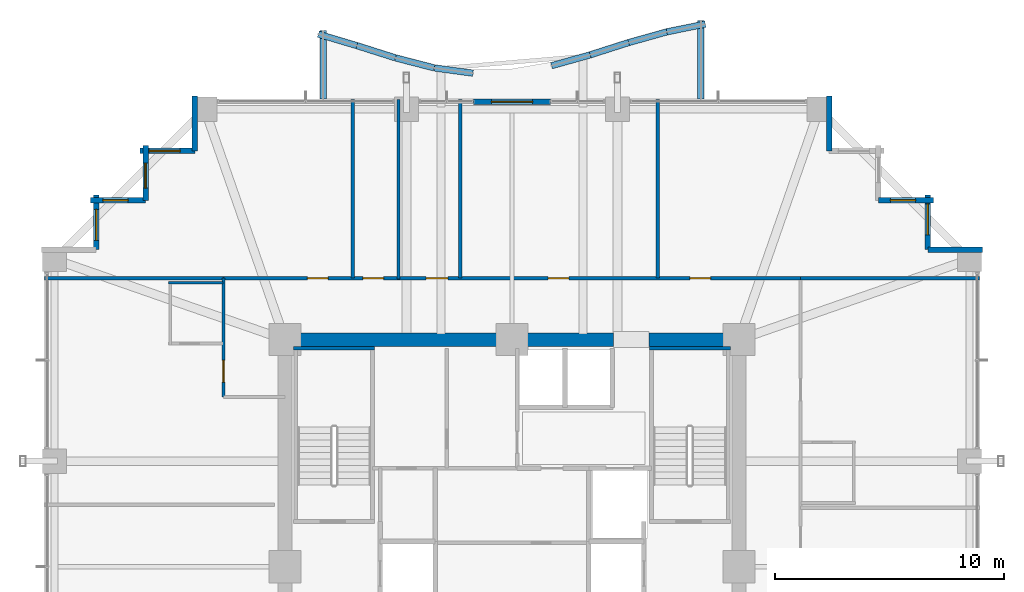
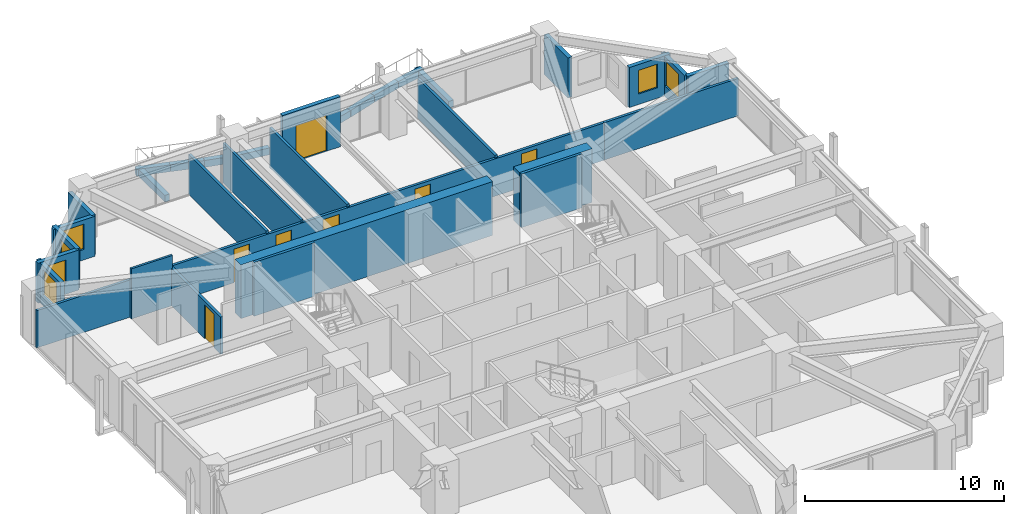
# One storey, part 35 of 38: 33 walls, 7 doors, 6 windows, 13 openings.
"""IFC4 building model written with IfcOpenShell, lengths in metres."""

from ifc_helpers import new_model, si_unit, direction, frame, frame_2d, origin, place, context, subcontext, project, spatial, rectangle, extrude, material, layer, layer_set, type_object, element, fill, save


model = new_model("IFC4")

# Units and contexts
model_context = context("Model", 3, precision=1e-05, world=origin(), true_north=direction((0.0, 1.0)))
body_context = subcontext(model_context, "Body", "Model", "MODEL_VIEW")
ifc_project = project(units=[si_unit("LENGTHUNIT", "METRE"), si_unit("AREAUNIT", "SQUARE_METRE"), si_unit("VOLUMEUNIT", "CUBIC_METRE"), si_unit("PLANEANGLEUNIT", "RADIAN"), si_unit("MASSUNIT", "GRAM", prefix="KILO")], contexts=[model_context])

# Site, building, storey
site_placement = place(None, origin())
site = spatial("IfcSite", under=ifc_project, at=site_placement, CompositionType="ELEMENT")
building_placement = place(site_placement, origin())
building = spatial("IfcBuilding", under=site, at=building_placement, Name="Kolvaren Belvedere", CompositionType="ELEMENT")
storey_placement = place(building_placement, frame((0.0, 0.0, 78.800048828125)))
storey = spatial("IfcBuildingStorey", under=building, at=storey_placement, Name="L22", CompositionType="ELEMENT", Elevation=78.800048828125)

# Walls
ifc_material_1 = material(Name="Concrete C60/75", Category="concrete")
ifc_layer_1 = layer(ifc_material_1, 0.60009765625)
ifc_layer_set_1 = layer_set([ifc_layer_1], Name="Concrete C60/75")
wall_type_1 = type_object("IfcWallType", Name="CW-CORE-600", PredefinedType="SHEAR", material=ifc_layer_set_1)
wall_1_placement = place(storey_placement, frame((-10.199951171875, 9.89990234375, 0.0), z_axis=(0.0, 0.0, 1.0), x_axis=(1.0, 0.0, 0.0)))
element("IfcWall", 1, at=wall_1_placement, inside=storey, type_object=wall_type_1, Name="L22 North Core Shear Wall 1", PredefinedType="SHEAR", context=body_context, shape_type="SweptSolid", body=[
    extrude(rectangle(XDim=14.619873046875, YDim=0.60009765625, at=frame_2d((7.31005859375, 0.0))), origin(), (0.0, 0.0, 1.0), 3.300048828125),
])
wall_2_placement = place(storey_placement, frame((5.97998046875, 9.89990234375, 0.0), z_axis=(0.0, 0.0, 1.0), x_axis=(1.0, 0.0, 0.0)))
element("IfcWall", 2, at=wall_2_placement, inside=storey, type_object=wall_type_1, Name="L22 North Core Shear Wall 2", PredefinedType="SHEAR", context=body_context, shape_type="SweptSolid", body=[
    extrude(rectangle(XDim=4.219970703125, YDim=0.60009765625, at=frame_2d((2.10986328125, 0.0))), origin(), (0.0, 0.0, 1.0), 3.300048828125),
])
ifc_material_2 = material(Name="Concrete C50/60", Category="concrete")
ifc_layer_2 = layer(ifc_material_2, 0.159912109375)
ifc_layer_set_2 = layer_set([ifc_layer_2], Name="Concrete C50/60")
wall_type_2 = type_object("IfcWallType", Name="CW-STAIR-160", PredefinedType="SHEAR", material=ifc_layer_set_2)
for number, where, z_axis, x_axis, name in (
    (3, (-9.52001953125, 9.530029296875, 0.0), (0.0, 0.0, 1.0), (1.0, 0.0, 0.0), "L22 Stair ST-1 North Shear Wall"),
    (4, (6.0, 9.530029296875, 0.0), (0.0, 0.0, 1.0), (1.0, 0.0, 0.0), "L22 Stair ST-2 North Shear Wall"),
):
    element("IfcWall", number, at=place(storey_placement, frame(where, z_axis=z_axis, x_axis=x_axis)), inside=storey, type_object=wall_type_2, Name=name, PredefinedType="SHEAR", context=body_context, shape_type="SweptSolid", body=[
        extrude(rectangle(XDim=3.52001953125, YDim=0.159912109375, at=frame_2d((1.760009765625, 0.0))), origin(), (0.0, 0.0, 1.0), 3.300048828125),
    ])

# Wall, openings, doors
ifc_material_3 = material(Name="Gypsum fire-rated partition assembly", Category="gypsum")
ifc_layer_3 = layer(ifc_material_3, 0.14990234375)
ifc_layer_set_3 = layer_set([ifc_layer_3], Name="Gypsum fire-rated partition assembly")
wall_type_3 = type_object("IfcWallType", Name="WL-CORR-150", PredefinedType="PARTITIONING", material=ifc_layer_set_3)
wall_3_placement = place(storey_placement, frame((-12.580078125, 12.580078125, 0.0), z_axis=(0.0, 0.0, 1.0), x_axis=(1.0, 0.0, 0.0)))
wall_3 = element("IfcWall", 5, at=wall_3_placement, inside=storey, type_object=wall_type_3, Name="L22 North Corridor Wall", PredefinedType="PARTITIONING", context=body_context, shape_type="SweptSolid", body=[
    extrude(rectangle(XDim=25.16015625, YDim=0.14990234375, at=frame_2d((12.580078125, 0.0))), origin(), (0.0, 0.0, 1.0), 2.2919921875),
])
opening_1_placement = place(wall_3_placement, frame((3.656982421875, 0.0, 0.0)))
opening_1 = element("IfcOpeningElement", 6, at=opening_1_placement, cuts=wall_3, Name="Opening D-INT90", PredefinedType="OPENING", context=body_context, shape_type="SweptSolid", body=[
    extrude(rectangle(XDim=0.89990234375, YDim=2.06005859375, at=frame_2d((0.449951171875, 1.030029296875))), frame((0.0, 0.0849609375, 0.0), z_axis=(0.0, -1.0, 0.0), x_axis=(1.0, 0.0, 0.0)), (0.0, 0.0, 1.0), 0.169921875),
])
opening_2_placement = place(wall_3_placement, frame((6.081787109375, 0.0, 0.0)))
opening_2 = element("IfcOpeningElement", 7, at=opening_2_placement, cuts=wall_3, Name="Opening D-INT90", PredefinedType="OPENING", context=body_context, shape_type="SweptSolid", body=[
    extrude(rectangle(XDim=0.89990234375, YDim=2.06005859375, at=frame_2d((0.449951171875, 1.030029296875))), frame((0.0, 0.0849609375, 0.0), z_axis=(0.0, -1.0, 0.0), x_axis=(1.0, 0.0, 0.0)), (0.0, 0.0, 1.0), 0.169921875),
])
opening_3_placement = place(wall_3_placement, frame((8.835693359375, 0.0, 0.0)))
opening_3 = element("IfcOpeningElement", 8, at=opening_3_placement, cuts=wall_3, Name="Opening D-INT95", PredefinedType="OPENING", context=body_context, shape_type="SweptSolid", body=[
    extrude(rectangle(XDim=0.949951171875, YDim=2.06005859375, at=frame_2d((0.47509765625, 1.030029296875))), frame((0.0, 0.0849609375, 0.0), z_axis=(0.0, -1.0, 0.0), x_axis=(1.0, 0.0, 0.0)), (0.0, 0.0, 1.0), 0.169921875),
])
opening_4_placement = place(wall_3_placement, frame((14.159912109375, 0.0, 0.0)))
opening_4 = element("IfcOpeningElement", 9, at=opening_4_placement, cuts=wall_3, Name="Opening D-INT90", PredefinedType="OPENING", context=body_context, shape_type="SweptSolid", body=[
    extrude(rectangle(XDim=0.89990234375, YDim=2.06005859375, at=frame_2d((0.449951171875, 1.030029296875))), frame((0.0, 0.0849609375, 0.0), z_axis=(0.0, -1.0, 0.0), x_axis=(1.0, 0.0, 0.0)), (0.0, 0.0, 1.0), 0.169921875),
])
opening_5_placement = place(wall_3_placement, frame((20.341064453125, 0.0, 0.0)))
opening_5 = element("IfcOpeningElement", 10, at=opening_5_placement, cuts=wall_3, Name="Opening D-INT90", PredefinedType="OPENING", context=body_context, shape_type="SweptSolid", body=[
    extrude(rectangle(XDim=0.89990234375, YDim=2.06005859375, at=frame_2d((0.449951171875, 1.030029296875))), frame((0.0, 0.0849609375, 0.0), z_axis=(0.0, -1.0, 0.0), x_axis=(1.0, 0.0, 0.0)), (0.0, 0.0, 1.0), 0.169921875),
])
ifc_material_4 = material(Name="Stained Pacific white oak", Category="timber")
door_type_1 = type_object("IfcDoorType", Name="DR-INT-900", OperationType="NOTDEFINED", PredefinedType="DOOR", material=ifc_material_4)
door_1_placement = place(opening_1_placement, origin())
door_1 = element("IfcDoor", 11, at=door_1_placement, inside=storey, type_object=door_type_1, Name="L22 Guest Tea & Espresso Kitchen 2201 Door", OperationType="SINGLE_SWING_RIGHT", OverallHeight=2.06005859375, OverallWidth=0.89990234375, PredefinedType="DOOR", context=body_context, shape_type="SweptSolid", body=[
    extrude(rectangle(XDim=0.89990234375, YDim=2.06005859375, at=frame_2d((0.449951171875, 1.030029296875))), frame((0.0, 0.02490234375, 0.0), z_axis=(0.0, -1.0, 0.0), x_axis=(1.0, 0.0, 0.0)), (0.0, 0.0, 1.0), 0.050048828125),
])
fill(opening_1, door_1)
door_2_placement = place(opening_2_placement, origin())
door_2 = element("IfcDoor", 12, at=door_2_placement, inside=storey, type_object=door_type_1, Name="L22 Housekeeping Door", OperationType="SINGLE_SWING_LEFT", OverallHeight=2.06005859375, OverallWidth=0.89990234375, PredefinedType="DOOR", context=body_context, shape_type="SweptSolid", body=[
    extrude(rectangle(XDim=0.89990234375, YDim=2.06005859375, at=frame_2d((0.449951171875, 1.030029296875))), frame((0.0, 0.02490234375, 0.0), z_axis=(0.0, -1.0, 0.0), x_axis=(1.0, 0.0, 0.0)), (0.0, 0.0, 1.0), 0.050048828125),
])
fill(opening_2, door_2)
door_3_placement = place(opening_4_placement, origin())
door_3 = element("IfcDoor", 13, at=door_3_placement, inside=storey, type_object=door_type_1, Name="L22 Wellness Yoga & Reading Gym 2202 Door", OperationType="SINGLE_SWING_LEFT", OverallHeight=2.06005859375, OverallWidth=0.89990234375, PredefinedType="DOOR", context=body_context, shape_type="SweptSolid", body=[
    extrude(rectangle(XDim=0.89990234375, YDim=2.06005859375, at=frame_2d((0.449951171875, 1.030029296875))), frame((0.0, 0.02490234375, 0.0), z_axis=(0.0, -1.0, 0.0), x_axis=(1.0, 0.0, 0.0)), (0.0, 0.0, 1.0), 0.050048828125),
])
fill(opening_4, door_3)
door_4_placement = place(opening_5_placement, origin())
door_4 = element("IfcDoor", 14, at=door_4_placement, inside=storey, type_object=door_type_1, Name="L22 Private Hospitality Meeting Room 2203 Door", OperationType="SINGLE_SWING_RIGHT", OverallHeight=2.06005859375, OverallWidth=0.89990234375, PredefinedType="DOOR", context=body_context, shape_type="SweptSolid", body=[
    extrude(rectangle(XDim=0.89990234375, YDim=2.06005859375, at=frame_2d((0.449951171875, 1.030029296875))), frame((0.0, 0.02490234375, 0.0), z_axis=(0.0, -1.0, 0.0), x_axis=(1.0, 0.0, 0.0)), (0.0, 0.0, 1.0), 0.050048828125),
])
fill(opening_5, door_4)
ifc_material_5 = material(Name="Stained Pacific white oak", Category="timber")
door_type_2 = type_object("IfcDoorType", Name="DR-INT-950", OperationType="NOTDEFINED", PredefinedType="DOOR", material=ifc_material_5)
door_5_placement = place(opening_3_placement, origin())
door_5 = element("IfcDoor", 15, at=door_5_placement, inside=storey, type_object=door_type_2, Name="L22 Accessible Washroom Door", OperationType="SINGLE_SWING_RIGHT", OverallHeight=2.06005859375, OverallWidth=0.949951171875, PredefinedType="DOOR", context=body_context, shape_type="SweptSolid", body=[
    extrude(rectangle(XDim=0.949951171875, YDim=2.06005859375, at=frame_2d((0.47509765625, 1.030029296875))), frame((0.0, 0.02490234375, 0.0), z_axis=(0.0, -1.0, 0.0), x_axis=(1.0, 0.0, 0.0)), (0.0, 0.0, 1.0), 0.050048828125),
])
fill(opening_3, door_5)

# Wall, opening, door
wall_4_placement = place(storey_placement, frame((-12.580078125, 7.39990234375, 0.0), z_axis=(0.0, 0.0, 1.0), x_axis=(0.0, 1.0, 0.0)))
wall_4 = element("IfcWall", 16, at=wall_4_placement, inside=storey, type_object=wall_type_3, Name="L22 NW Corridor End Wall", PredefinedType="PARTITIONING", context=body_context, shape_type="SweptSolid", body=[
    extrude(rectangle(XDim=5.18017578125, YDim=0.14990234375, at=frame_2d((2.590087890625, 0.0))), origin(), (0.0, 0.0, 1.0), 2.2919921875),
])
opening_6_placement = place(wall_4_placement, frame((0.64453125, 0.0, 0.0)))
opening_6 = element("IfcOpeningElement", 17, at=opening_6_placement, cuts=wall_4, Name="Opening D-FD60", PredefinedType="OPENING", context=body_context, shape_type="SweptSolid", body=[
    extrude(rectangle(XDim=0.949951171875, YDim=2.06005859375, at=frame_2d((0.47509765625, 1.030029296875))), frame((0.0, 0.0849609375, 0.0), z_axis=(0.0, -1.0, 0.0), x_axis=(1.0, 0.0, 0.0)), (0.0, 0.0, 1.0), 0.169921875),
])
ifc_material_6 = material(Name="Acoustic white-oak fire door leaf", Category="timber")
door_type_3 = type_object("IfcDoorType", Name="DR-FD60-950", OperationType="NOTDEFINED", PredefinedType="DOOR", material=ifc_material_6)
door_6_placement = place(opening_6_placement, origin())
door_6 = element("IfcDoor", 18, at=door_6_placement, inside=storey, type_object=door_type_3, Name="L22 Botanical Hospitality Suite 2207 Entry Door", OperationType="SINGLE_SWING_LEFT", OverallHeight=2.06005859375, OverallWidth=0.949951171875, PredefinedType="DOOR", context=body_context, shape_type="SweptSolid", body=[
    extrude(rectangle(XDim=0.949951171875, YDim=2.06005859375, at=frame_2d((0.47509765625, 1.030029296875))), frame((0.0, 0.02490234375, 0.0), z_axis=(0.0, -1.0, 0.0), x_axis=(1.0, 0.0, 0.0)), (0.0, 0.0, 1.0), 0.050048828125),
])
fill(opening_6, door_6)

# Wall
ifc_material_7 = material(Name="Insulated pale-metal facade wall assembly", Category="aluminium")
ifc_layer_4 = layer(ifc_material_7, 0.239990234375)
ifc_layer_set_4 = layer_set([ifc_layer_4], Name="Insulated pale-metal facade wall assembly")
wall_type_4 = type_object("IfcWallType", Name="WL-EXT-240", PredefinedType="STANDARD", material=ifc_layer_set_4)
wall_5_placement = place(storey_placement, frame((18.1298828125, 13.830078125, 0.0), z_axis=(0.0, 0.0, 1.0), x_axis=(1.0, 0.0, 0.0)))
element("IfcWall", 19, at=wall_5_placement, inside=storey, type_object=wall_type_4, Name="L22 Serrated Corner Facade Wall 9", PredefinedType="STANDARD", context=body_context, shape_type="SweptSolid", body=[
    extrude(rectangle(XDim=2.39013671875, YDim=0.239990234375, at=frame_2d((1.195068359375, 0.0))), origin(), (0.0, 0.0, 1.0), 2.458984375),
])

# Wall, opening, window
wall_6_placement = place(storey_placement, frame((18.1298828125, 16.219970703125, 0.0), z_axis=(0.0, 0.0, 1.0), x_axis=(0.0, -1.0, 0.0)))
wall_6 = element("IfcWall", 20, at=wall_6_placement, inside=storey, type_object=wall_type_4, Name="L22 Serrated Corner Facade Wall 10", PredefinedType="STANDARD", context=body_context, shape_type="SweptSolid", body=[
    extrude(rectangle(XDim=2.389892578125, YDim=0.239990234375, at=frame_2d((1.19482421875, 0.0))), origin(), (0.0, 0.0, 1.0), 2.458984375),
])
opening_7_placement = place(wall_6_placement, frame((0.39990234375, 0.0, 0.64990234375)))
opening_7 = element("IfcOpeningElement", 21, at=opening_7_placement, cuts=wall_6, Name="Opening W-1350", PredefinedType="OPENING", context=body_context, shape_type="SweptSolid", body=[
    extrude(rectangle(XDim=1.35009765625, YDim=1.550048828125, at=frame_2d((0.675048828125, 0.77490234375))), frame((0.0, 0.1298828125, 0.0), z_axis=(0.0, -1.0, 0.0), x_axis=(1.0, 0.0, 0.0)), (0.0, 0.0, 1.0), 0.260009765625),
])
ifc_material_8 = material(Name="Low-iron triple insulated glass", Category="glass")
window_type_1 = type_object("IfcWindowType", Name="WN-CORN-1350", PartitioningType="SINGLE_PANEL", PredefinedType="WINDOW", material=ifc_material_8)
window_1_placement = place(opening_7_placement, origin())
window_1 = element("IfcWindow", 22, at=window_1_placement, inside=storey, type_object=window_type_1, Name="L22 Serrated Corner Vision Window 10", OverallHeight=1.550048828125, OverallWidth=1.35009765625, PartitioningType="SINGLE_PANEL", PredefinedType="WINDOW", context=body_context, shape_type="SweptSolid", body=[
    extrude(rectangle(XDim=1.35009765625, YDim=1.550048828125, at=frame_2d((0.675048828125, 0.77490234375))), frame((0.0, 0.030029296875, 0.0), z_axis=(0.0, -1.0, 0.0), x_axis=(1.0, 0.0, 0.0)), (0.0, 0.0, 1.0), 0.06005859375),
])
fill(opening_7, window_1)

wall_7_placement = place(storey_placement, frame((15.97998046875, 15.97998046875, 0.0), z_axis=(0.0, 0.0, 1.0), x_axis=(1.0, 0.0, 0.0)))
wall_7 = element("IfcWall", 23, at=wall_7_placement, inside=storey, type_object=wall_type_4, Name="L22 Serrated Corner Facade Wall 11", PredefinedType="STANDARD", context=body_context, shape_type="SweptSolid", body=[
    extrude(rectangle(XDim=2.39013671875, YDim=0.239990234375, at=frame_2d((1.195068359375, 0.0))), origin(), (0.0, 0.0, 1.0), 2.458984375),
])
opening_8_placement = place(wall_7_placement, frame((0.52490234375, 0.0, 0.64990234375)))
opening_8 = element("IfcOpeningElement", 24, at=opening_8_placement, cuts=wall_7, Name="Opening W-1100", PredefinedType="OPENING", context=body_context, shape_type="SweptSolid", body=[
    extrude(rectangle(XDim=1.10009765625, YDim=1.449951171875, at=frame_2d((0.550048828125, 0.72509765625))), frame((0.0, 0.1298828125, 0.0), z_axis=(0.0, -1.0, 0.0), x_axis=(1.0, 0.0, 0.0)), (0.0, 0.0, 1.0), 0.260009765625),
])
ifc_material_9 = material(Name="Low-iron triple insulated glass", Category="glass")
window_type_2 = type_object("IfcWindowType", Name="WN-CORN-1100", PartitioningType="SINGLE_PANEL", PredefinedType="WINDOW", material=ifc_material_9)
window_2_placement = place(opening_8_placement, origin())
window_2 = element("IfcWindow", 25, at=window_2_placement, inside=storey, type_object=window_type_2, Name="L22 Serrated Corner Vision Window 11", OverallHeight=1.449951171875, OverallWidth=1.10009765625, PartitioningType="SINGLE_PANEL", PredefinedType="WINDOW", context=body_context, shape_type="SweptSolid", body=[
    extrude(rectangle(XDim=1.10009765625, YDim=1.449951171875, at=frame_2d((0.550048828125, 0.72509765625))), frame((0.0, 0.030029296875, 0.0), z_axis=(0.0, -1.0, 0.0), x_axis=(1.0, 0.0, 0.0)), (0.0, 0.0, 1.0), 0.06005859375),
])
fill(opening_8, window_2)

# Wall
wall_8_placement = place(storey_placement, frame((13.830078125, 20.52001953125, 0.0), z_axis=(0.0, 0.0, 1.0), x_axis=(0.0, -1.0, 0.0)))
element("IfcWall", 26, at=wall_8_placement, inside=storey, type_object=wall_type_4, Name="L22 Serrated Corner Facade Wall 14", PredefinedType="STANDARD", context=body_context, shape_type="SweptSolid", body=[
    extrude(rectangle(XDim=2.39013671875, YDim=0.239990234375, at=frame_2d((1.195068359375, 0.0))), origin(), (0.0, 0.0, 1.0), 2.458984375),
])

# Wall, opening, door
wall_9_placement = place(storey_placement, frame((-1.679931640625, 20.280029296875, 0.0), z_axis=(0.0, 0.0, 1.0), x_axis=(1.0, 0.0, 0.0)))
wall_9 = element("IfcWall", 27, at=wall_9_placement, inside=storey, type_object=wall_type_4, Name="L22 North Terrace Portal Wall", PredefinedType="STANDARD", context=body_context, shape_type="SweptSolid", body=[
    extrude(rectangle(XDim=3.35986328125, YDim=0.239990234375, at=frame_2d((1.679931640625, 0.0))), origin(), (0.0, 0.0, 1.0), 3.079833984375),
])
opening_9_placement = place(wall_9_placement, frame((0.780029296875, 0.0, 0.0)))
opening_9 = element("IfcOpeningElement", 28, at=opening_9_placement, cuts=wall_9, Name="Opening DB-1800", PredefinedType="OPENING", context=body_context, shape_type="SweptSolid", body=[
    extrude(rectangle(XDim=1.800048828125, YDim=2.199951171875, at=frame_2d((0.89990234375, 1.10009765625))), frame((0.0, 0.1298828125, 0.0), z_axis=(0.0, -1.0, 0.0), x_axis=(1.0, 0.0, 0.0)), (0.0, 0.0, 1.0), 0.260009765625),
])
ifc_material_10 = material(Name="Thermally broken pale-metal aluminium & low-iron glass", Category="aluminium")
door_type_4 = type_object("IfcDoorType", Name="DR-BAL-1800", OperationType="DOUBLE_DOOR_SLIDING", PredefinedType="DOOR", material=ifc_material_10)
door_7_placement = place(opening_9_placement, origin())
door_7 = element("IfcDoor", 29, at=door_7_placement, inside=storey, type_object=door_type_4, Name="L22 North Planted Terrace Sliding Door", OperationType="DOUBLE_DOOR_SLIDING", OverallHeight=2.199951171875, OverallWidth=1.800048828125, PredefinedType="DOOR", context=body_context, shape_type="SweptSolid", body=[
    extrude(rectangle(XDim=1.800048828125, YDim=2.199951171875, at=frame_2d((0.89990234375, 1.10009765625))), frame((0.0, 0.02490234375, 0.0), z_axis=(0.0, -1.0, 0.0), x_axis=(1.0, 0.0, 0.0)), (0.0, 0.0, 1.0), 0.050048828125),
])
fill(opening_9, door_7)

# Wall
wall_10_placement = place(storey_placement, frame((-13.830078125, 18.1298828125, 0.0), z_axis=(0.0, 0.0, 1.0), x_axis=(0.0, 1.0, 0.0)))
element("IfcWall", 30, at=wall_10_placement, inside=storey, type_object=wall_type_4, Name="L22 Serrated Corner Facade Wall 16", PredefinedType="STANDARD", context=body_context, shape_type="SweptSolid", body=[
    extrude(rectangle(XDim=2.39013671875, YDim=0.239990234375, at=frame_2d((1.195068359375, 0.0))), origin(), (0.0, 0.0, 1.0), 2.458984375),
])

# Wall, opening, window
wall_11_placement = place(storey_placement, frame((-16.219970703125, 18.1298828125, 0.0), z_axis=(0.0, 0.0, 1.0), x_axis=(1.0, 0.0, 0.0)))
wall_11 = element("IfcWall", 31, at=wall_11_placement, inside=storey, type_object=wall_type_4, Name="L22 Serrated Corner Facade Wall 17", PredefinedType="STANDARD", context=body_context, shape_type="SweptSolid", body=[
    extrude(rectangle(XDim=2.389892578125, YDim=0.239990234375, at=frame_2d((1.19482421875, 0.0))), origin(), (0.0, 0.0, 1.0), 2.458984375),
])
opening_10_placement = place(wall_11_placement, frame((0.39990234375, 0.0, 0.64990234375)))
opening_10 = element("IfcOpeningElement", 32, at=opening_10_placement, cuts=wall_11, Name="Opening W-1350", PredefinedType="OPENING", context=body_context, shape_type="SweptSolid", body=[
    extrude(rectangle(XDim=1.35009765625, YDim=1.550048828125, at=frame_2d((0.675048828125, 0.77490234375))), frame((0.0, 0.1298828125, 0.0), z_axis=(0.0, -1.0, 0.0), x_axis=(1.0, 0.0, 0.0)), (0.0, 0.0, 1.0), 0.260009765625),
])
window_3_placement = place(opening_10_placement, origin())
window_3 = element("IfcWindow", 33, at=window_3_placement, inside=storey, type_object=window_type_1, Name="L22 Serrated Corner Vision Window 17", OverallHeight=1.550048828125, OverallWidth=1.35009765625, PartitioningType="SINGLE_PANEL", PredefinedType="WINDOW", context=body_context, shape_type="SweptSolid", body=[
    extrude(rectangle(XDim=1.35009765625, YDim=1.550048828125, at=frame_2d((0.675048828125, 0.77490234375))), frame((0.0, 0.030029296875, 0.0), z_axis=(0.0, -1.0, 0.0), x_axis=(1.0, 0.0, 0.0)), (0.0, 0.0, 1.0), 0.06005859375),
])
fill(opening_10, window_3)

wall_12_placement = place(storey_placement, frame((-15.97998046875, 15.97998046875, 0.0), z_axis=(0.0, 0.0, 1.0), x_axis=(0.0, 1.0, 0.0)))
wall_12 = element("IfcWall", 34, at=wall_12_placement, inside=storey, type_object=wall_type_4, Name="L22 Serrated Corner Facade Wall 18", PredefinedType="STANDARD", context=body_context, shape_type="SweptSolid", body=[
    extrude(rectangle(XDim=2.39013671875, YDim=0.239990234375, at=frame_2d((1.195068359375, 0.0))), origin(), (0.0, 0.0, 1.0), 2.458984375),
])
opening_11_placement = place(wall_12_placement, frame((0.52490234375, 0.0, 0.64990234375)))
opening_11 = element("IfcOpeningElement", 35, at=opening_11_placement, cuts=wall_12, Name="Opening W-1100", PredefinedType="OPENING", context=body_context, shape_type="SweptSolid", body=[
    extrude(rectangle(XDim=1.10009765625, YDim=1.449951171875, at=frame_2d((0.550048828125, 0.72509765625))), frame((0.0, 0.1298828125, 0.0), z_axis=(0.0, -1.0, 0.0), x_axis=(1.0, 0.0, 0.0)), (0.0, 0.0, 1.0), 0.260009765625),
])
window_4_placement = place(opening_11_placement, origin())
window_4 = element("IfcWindow", 36, at=window_4_placement, inside=storey, type_object=window_type_2, Name="L22 Serrated Corner Vision Window 18", OverallHeight=1.449951171875, OverallWidth=1.10009765625, PartitioningType="SINGLE_PANEL", PredefinedType="WINDOW", context=body_context, shape_type="SweptSolid", body=[
    extrude(rectangle(XDim=1.10009765625, YDim=1.449951171875, at=frame_2d((0.550048828125, 0.72509765625))), frame((0.0, 0.030029296875, 0.0), z_axis=(0.0, -1.0, 0.0), x_axis=(1.0, 0.0, 0.0)), (0.0, 0.0, 1.0), 0.06005859375),
])
fill(opening_11, window_4)

wall_13_placement = place(storey_placement, frame((-18.3701171875, 15.97998046875, 0.0), z_axis=(0.0, 0.0, 1.0), x_axis=(1.0, 0.0, 0.0)))
wall_13 = element("IfcWall", 37, at=wall_13_placement, inside=storey, type_object=wall_type_4, Name="L22 Serrated Corner Facade Wall 19", PredefinedType="STANDARD", context=body_context, shape_type="SweptSolid", body=[
    extrude(rectangle(XDim=2.39013671875, YDim=0.239990234375, at=frame_2d((1.195068359375, 0.0))), origin(), (0.0, 0.0, 1.0), 2.458984375),
])
opening_12_placement = place(wall_13_placement, frame((0.52490234375, 0.0, 0.64990234375)))
opening_12 = element("IfcOpeningElement", 38, at=opening_12_placement, cuts=wall_13, Name="Opening W-1100", PredefinedType="OPENING", context=body_context, shape_type="SweptSolid", body=[
    extrude(rectangle(XDim=1.10009765625, YDim=1.449951171875, at=frame_2d((0.550048828125, 0.72509765625))), frame((0.0, 0.1298828125, 0.0), z_axis=(0.0, -1.0, 0.0), x_axis=(1.0, 0.0, 0.0)), (0.0, 0.0, 1.0), 0.260009765625),
])
window_5_placement = place(opening_12_placement, origin())
window_5 = element("IfcWindow", 39, at=window_5_placement, inside=storey, type_object=window_type_2, Name="L22 Serrated Corner Vision Window 19", OverallHeight=1.449951171875, OverallWidth=1.10009765625, PartitioningType="SINGLE_PANEL", PredefinedType="WINDOW", context=body_context, shape_type="SweptSolid", body=[
    extrude(rectangle(XDim=1.10009765625, YDim=1.449951171875, at=frame_2d((0.550048828125, 0.72509765625))), frame((0.0, 0.030029296875, 0.0), z_axis=(0.0, -1.0, 0.0), x_axis=(1.0, 0.0, 0.0)), (0.0, 0.0, 1.0), 0.06005859375),
])
fill(opening_12, window_5)

wall_14_placement = place(storey_placement, frame((-18.1298828125, 13.830078125, 0.0), z_axis=(0.0, 0.0, 1.0), x_axis=(0.0, 1.0, 0.0)))
wall_14 = element("IfcWall", 40, at=wall_14_placement, inside=storey, type_object=wall_type_4, Name="L22 Serrated Corner Facade Wall 20", PredefinedType="STANDARD", context=body_context, shape_type="SweptSolid", body=[
    extrude(rectangle(XDim=2.389892578125, YDim=0.239990234375, at=frame_2d((1.19482421875, 0.0))), origin(), (0.0, 0.0, 1.0), 2.458984375),
])
opening_13_placement = place(wall_14_placement, frame((0.39990234375, 0.0, 0.64990234375)))
opening_13 = element("IfcOpeningElement", 41, at=opening_13_placement, cuts=wall_14, Name="Opening W-1350", PredefinedType="OPENING", context=body_context, shape_type="SweptSolid", body=[
    extrude(rectangle(XDim=1.35009765625, YDim=1.550048828125, at=frame_2d((0.675048828125, 0.77490234375))), frame((0.0, 0.1298828125, 0.0), z_axis=(0.0, -1.0, 0.0), x_axis=(1.0, 0.0, 0.0)), (0.0, 0.0, 1.0), 0.260009765625),
])
window_6_placement = place(opening_13_placement, origin())
window_6 = element("IfcWindow", 42, at=window_6_placement, inside=storey, type_object=window_type_1, Name="L22 Serrated Corner Vision Window 20", OverallHeight=1.550048828125, OverallWidth=1.35009765625, PartitioningType="SINGLE_PANEL", PredefinedType="WINDOW", context=body_context, shape_type="SweptSolid", body=[
    extrude(rectangle(XDim=1.35009765625, YDim=1.550048828125, at=frame_2d((0.675048828125, 0.77490234375))), frame((0.0, 0.030029296875, 0.0), z_axis=(0.0, -1.0, 0.0), x_axis=(1.0, 0.0, 0.0)), (0.0, 0.0, 1.0), 0.06005859375),
])
fill(opening_13, window_6)

# Walls
ifc_material_11 = material(Name="Gypsum acoustic partition assembly", Category="gypsum")
ifc_layer_5 = layer(ifc_material_11, 0.14990234375)
ifc_layer_set_5 = layer_set([ifc_layer_5], Name="Gypsum acoustic partition assembly")
wall_type_5 = type_object("IfcWallType", Name="WL-PART-150", PredefinedType="PARTITIONING", material=ifc_layer_set_5)
for number, where, z_axis, x_axis, name in (
    (43, (-20.3798828125, 12.580078125, 0.0), (0.0, 0.0, 1.0), (1.0, 0.0, 0.0), "L22 Wing Divider PW-L22-QNW"),
    (44, (12.580078125, 12.580078125, 0.0), (0.0, 0.0, 1.0), (1.0, 0.0, 0.0), "L22 Wing Divider PW-L22-QNE"),
):
    element("IfcWall", number, at=place(storey_placement, frame(where, z_axis=z_axis, x_axis=x_axis)), inside=storey, type_object=wall_type_5, Name=name, PredefinedType="PARTITIONING", context=body_context, shape_type="SweptSolid", body=[
        extrude(rectangle(XDim=7.7998046875, YDim=0.14990234375, at=frame_2d((3.89990234375, 0.0))), origin(), (0.0, 0.0, 1.0), 2.2919921875),
    ])
for number, where, z_axis, x_axis, name in (
    (45, (-6.951904296875, 12.580078125, 0.0), (0.0, 0.0, 1.0), (0.0, 1.0, 0.0), "L22 North Suite Demising Wall 1"),
    (46, (-2.251953125, 12.580078125, 0.0), (0.0, 0.0, 1.0), (0.0, 1.0, 0.0), "L22 North Suite Demising Wall 2"),
    (47, (6.347900390625, 12.580078125, 0.0), (0.0, 0.0, 1.0), (0.0, 1.0, 0.0), "L22 North Suite Demising Wall 3"),
):
    element("IfcWall", number, at=place(storey_placement, frame(where, z_axis=z_axis, x_axis=x_axis)), inside=storey, type_object=wall_type_5, Name=name, PredefinedType="PARTITIONING", context=body_context, shape_type="SweptSolid", body=[
        extrude(rectangle(XDim=7.7998046875, YDim=0.14990234375, at=frame_2d((3.89990234375, 0.0))), origin(), (0.0, 0.0, 1.0), 2.448974609375),
    ])
ifc_material_12 = material(Name="Precast concrete C40/50", Category="concrete")
ifc_layer_6 = layer(ifc_material_12, 0.300048828125)
ifc_layer_set_6 = layer_set([ifc_layer_6], Name="Precast concrete C40/50")
wall_type_6 = type_object("IfcWallType", Name="WL-PLANTER-300", PredefinedType="PARAPET", material=ifc_layer_set_6)
wall_15_placement = place(storey_placement, frame((8.239990234375, 20.39990234375, -0.0400390625), z_axis=(0.0, 0.0, 1.0), x_axis=(0.0, 1.0, 0.0)))
element("IfcWall", 48, at=wall_15_placement, inside=storey, type_object=wall_type_6, Name="L22 Precast Structural Planter Wall BAL-N-11", PredefinedType="PARAPET", context=body_context, shape_type="SweptSolid", body=[
    extrude(rectangle(XDim=3.420166015625, YDim=0.280029296875, at=frame_2d((1.7099609375, 0.0))), origin(), (0.0, 0.0, 1.0), 0.419921875),
])
wall_16_placement = place(storey_placement, frame((8.431884765625, 23.6630859375, -0.0400390625), z_axis=(0.0, 0.0, 1.0), x_axis=(-0.980067977123, -0.198662427795, 0.0)))
element("IfcWall", 49, at=wall_16_placement, inside=storey, type_object=wall_type_6, Name="L22 Precast Structural Planter Wall BAL-N-12", PredefinedType="PARAPET", context=body_context, shape_type="SweptSolid", body=[
    extrude(rectangle(XDim=1.71435546875, YDim=0.280029296875, at=frame_2d((0.857177734375, 0.0))), origin(), (0.0, 0.0, 1.0), 0.419921875),
])
wall_17_placement = place(storey_placement, frame((6.76318359375, 23.3251953125, -0.0400390625), z_axis=(0.0, 0.0, 1.0), x_axis=(-0.962916043401, -0.269801210823, 0.0)))
element("IfcWall", 50, at=wall_17_placement, inside=storey, type_object=wall_type_6, Name="L22 Precast Structural Planter Wall BAL-N-13", PredefinedType="PARAPET", context=body_context, shape_type="SweptSolid", body=[
    extrude(rectangle(XDim=1.74462890625, YDim=0.280029296875, at=frame_2d((0.872314453125, 0.0))), origin(), (0.0, 0.0, 1.0), 0.419921875),
])
wall_18_placement = place(storey_placement, frame((5.088623046875, 22.856201171875, -0.0400390625), z_axis=(0.0, 0.0, 1.0), x_axis=(-0.952501264923, -0.304534629099, 0.0)))
element("IfcWall", 51, at=wall_18_placement, inside=storey, type_object=wall_type_6, Name="L22 Precast Structural Planter Wall BAL-N-14", PredefinedType="PARAPET", context=body_context, shape_type="SweptSolid", body=[
    extrude(rectangle(XDim=1.763671875, YDim=0.280029296875, at=frame_2d((0.8818359375, 0.0))), origin(), (0.0, 0.0, 1.0), 0.419921875),
])
wall_19_placement = place(storey_placement, frame((3.4033203125, 22.3173828125, -0.0400390625), z_axis=(0.0, 0.0, 1.0), x_axis=(-0.962926227834, -0.269764860108, 0.0)))
element("IfcWall", 52, at=wall_19_placement, inside=storey, type_object=wall_type_6, Name="L22 Precast Structural Planter Wall BAL-N-15", PredefinedType="PARAPET", context=body_context, shape_type="SweptSolid", body=[
    extrude(rectangle(XDim=1.744873046875, YDim=0.280029296875, at=frame_2d((0.87255859375, 0.0))), origin(), (0.0, 0.0, 1.0), 0.419921875),
])
wall_20_placement = place(storey_placement, frame((-1.70166015625, 21.5205078125, -0.0400390625), z_axis=(0.0, 0.0, 1.0), x_axis=(-0.990855562068, 0.134926850989, 0.0)))
element("IfcWall", 53, at=wall_20_placement, inside=storey, type_object=wall_type_6, Name="L22 Precast Structural Planter Wall BAL-N-18", PredefinedType="PARAPET", context=body_context, shape_type="SweptSolid", body=[
    extrude(rectangle(XDim=1.695556640625, YDim=0.280029296875, at=frame_2d((0.84765625, 0.0))), origin(), (0.0, 0.0, 1.0), 0.419921875),
])
wall_21_placement = place(storey_placement, frame((-3.400146484375, 21.7529296875, -0.0400390625), z_axis=(0.0, 0.0, 1.0), x_axis=(-0.968132209145, 0.250439664624, 0.0)))
element("IfcWall", 54, at=wall_21_placement, inside=storey, type_object=wall_type_6, Name="L22 Precast Structural Planter Wall BAL-N-19", PredefinedType="PARAPET", context=body_context, shape_type="SweptSolid", body=[
    extrude(rectangle(XDim=1.7353515625, YDim=0.280029296875, at=frame_2d((0.86767578125, 0.0))), origin(), (0.0, 0.0, 1.0), 0.419921875),
])
wall_22_placement = place(storey_placement, frame((-5.08837890625, 22.18994140625, -0.0400390625), z_axis=(0.0, 0.0, 1.0), x_axis=(-0.953181954832, 0.302397356111, 0.0)))
element("IfcWall", 55, at=wall_22_placement, inside=storey, type_object=wall_type_6, Name="L22 Precast Structural Planter Wall BAL-N-20", PredefinedType="PARAPET", context=body_context, shape_type="SweptSolid", body=[
    extrude(rectangle(XDim=1.762451171875, YDim=0.280029296875, at=frame_2d((0.88134765625, 0.0))), origin(), (0.0, 0.0, 1.0), 0.419921875),
])
wall_23_placement = place(storey_placement, frame((-6.765625, 22.721923828125, -0.0400390625), z_axis=(0.0, 0.0, 1.0), x_axis=(-0.958525043221, 0.28500831833, 0.0)))
element("IfcWall", 56, at=wall_23_placement, inside=storey, type_object=wall_type_6, Name="L22 Precast Structural Planter Wall BAL-N-21", PredefinedType="PARAPET", context=body_context, shape_type="SweptSolid", body=[
    extrude(rectangle(XDim=1.752685546875, YDim=0.280029296875, at=frame_2d((0.87646484375, 0.0))), origin(), (0.0, 0.0, 1.0), 0.419921875),
])
wall_24_placement = place(storey_placement, frame((-8.239990234375, 23.374755859375, -0.0400390625), z_axis=(0.0, 0.0, 1.0), x_axis=(0.0, -1.0, 0.0)))
element("IfcWall", 57, at=wall_24_placement, inside=storey, type_object=wall_type_6, Name="L22 Precast Structural Planter Wall BAL-N-22", PredefinedType="PARAPET", context=body_context, shape_type="SweptSolid", body=[
    extrude(rectangle(XDim=2.974853515625, YDim=0.280029296875, at=frame_2d((1.4873046875, 0.0))), origin(), (0.0, 0.0, 1.0), 0.419921875),
])
ifc_material_13 = material(Name="Moisture-resistant gypsum partition", Category="gypsum")
ifc_layer_7 = layer(ifc_material_13, 0.125)
ifc_layer_set_7 = layer_set([ifc_layer_7], Name="Moisture-resistant gypsum partition")
wall_type_7 = type_object("IfcWallType", Name="WL-WET-125", PredefinedType="PARTITIONING", material=ifc_layer_set_7)
wall_25_placement = place(storey_placement, frame((-4.952880859375, 12.554931640625, 0.0), z_axis=(0.0, 0.0, 1.0), x_axis=(0.0, 1.0, 0.0)))
element("IfcWall", 58, at=wall_25_placement, inside=storey, type_object=wall_type_7, Name="L22 Housekeeping Washroom Divider", PredefinedType="PARTITIONING", context=body_context, shape_type="SweptSolid", body=[
    extrude(rectangle(XDim=7.824951171875, YDim=0.125, at=frame_2d((3.91259765625, 0.0))), origin(), (0.0, 0.0, 1.0), 2.448974609375),
])
wall_26_placement = place(storey_placement, frame((-14.985107421875, 12.385009765625, 0.0), z_axis=(0.0, 0.0, 1.0), x_axis=(1.0, 0.0, 0.0)))
element("IfcWall", 59, at=wall_26_placement, inside=storey, type_object=wall_type_7, Name="L22 Bathroom Partition PW-L22-BTH-7-S", PredefinedType="PARTITIONING", context=body_context, shape_type="SweptSolid", body=[
    extrude(rectangle(XDim=2.39013671875, YDim=0.125, at=frame_2d((1.195068359375, 0.0))), origin(), (0.0, 0.0, 1.0), 3.079833984375),
])

save(model, "model.ifc")
